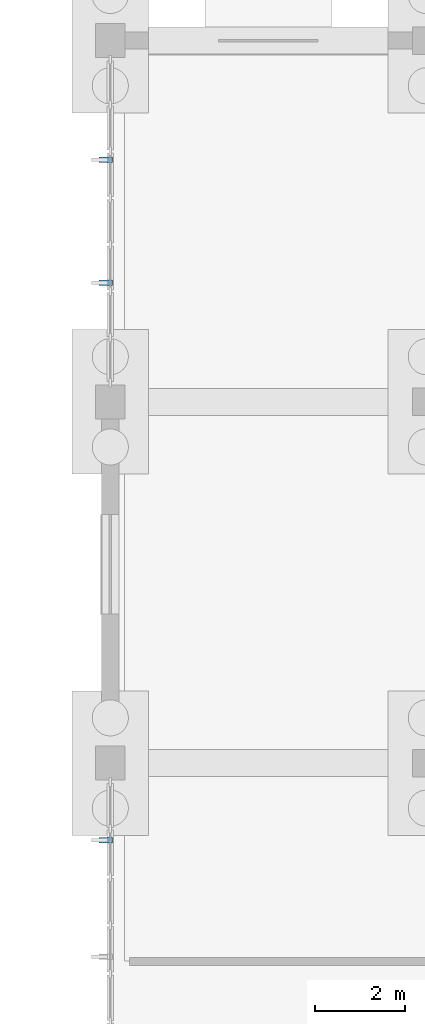
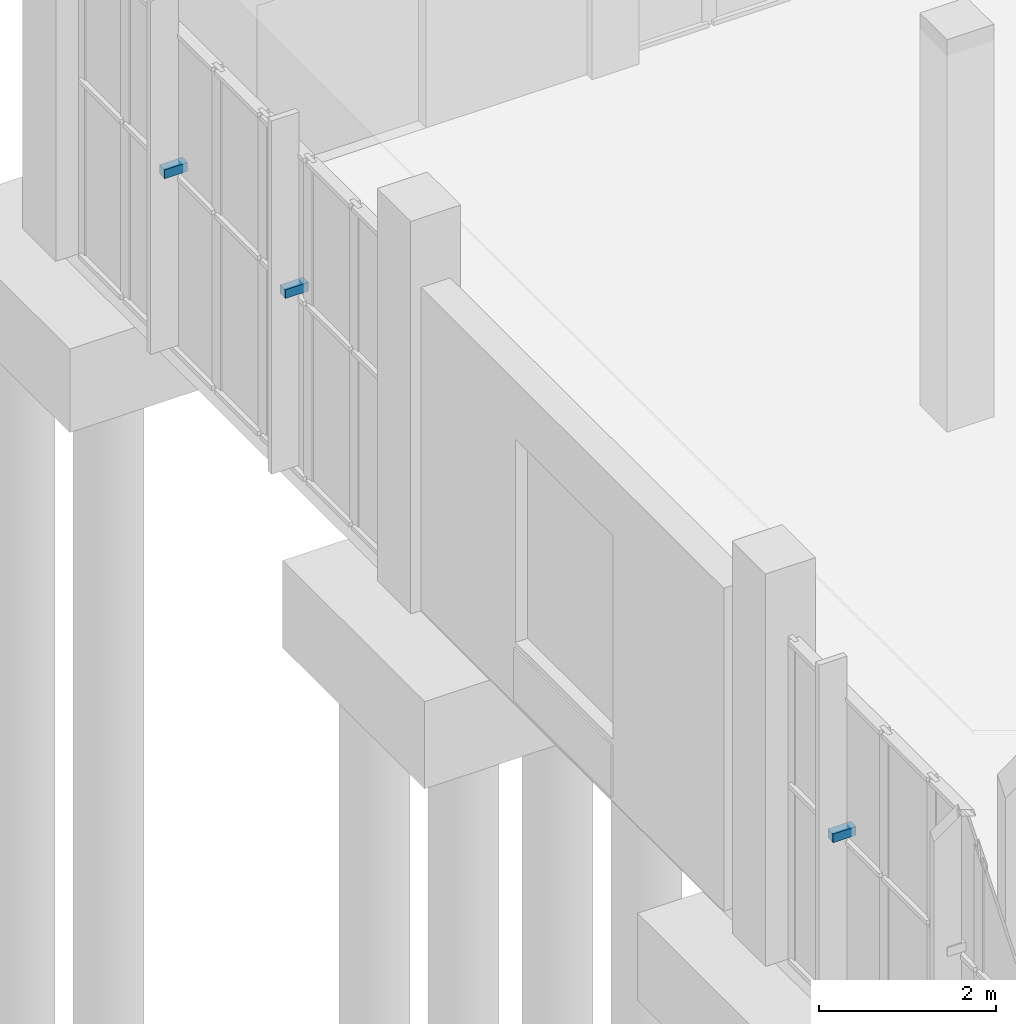
# One storey, part 58 of 69: 3 discrete accessories.
"""IFC4 building model written with IfcOpenShell, lengths in metres."""

from ifc_helpers import new_model, si_unit, direction, frame, origin, origin_2d, place, context, subcontext, project, spatial, rectangle, extrude, material, type_object, element, save


model = new_model("IFC4")

# Units and contexts
model_context = context("Model", 3, precision=1e-05, world=origin(), true_north=direction((0.0, 1.0)))
body_context = subcontext(model_context, "Body", "Model", "MODEL_VIEW")
ifc_project = project(units=[si_unit("LENGTHUNIT", "METRE"), si_unit("AREAUNIT", "SQUARE_METRE"), si_unit("VOLUMEUNIT", "CUBIC_METRE"), si_unit("PLANEANGLEUNIT", "RADIAN"), si_unit("MASSUNIT", "GRAM", prefix="KILO")], contexts=[model_context])

# Site, building, storey
site_placement = place(None, origin())
site = spatial("IfcSite", under=ifc_project, at=site_placement, CompositionType="ELEMENT")
building_placement = place(site_placement, origin())
building = spatial("IfcBuilding", under=site, at=building_placement, Name="Solvane Community Centre", CompositionType="ELEMENT")
storey_placement = place(building_placement, origin())
storey = spatial("IfcBuildingStorey", under=building, at=storey_placement, Name="L00", CompositionType="ELEMENT", Elevation=0.0)

# Discrete accessories
ifc_material = material(Name="Steel ASTM A572 Grade 50", Category="steel")
discrete_accessory_type = type_object("IfcDiscreteAccessoryType", Name="Fin Mounting Bracket 120x120", PredefinedType="BRACKET", material=ifc_material)
for number, where, z_axis, x_axis, name in (
    (1, (5.89990234375, 100.2919921875, 2.52001953125), (0.0, 0.0, 1.0), (0.0, 1.0, 0.0), "Fin Bracket 10"),
    (2, (5.89990234375, 112.639892578125, 2.52001953125), (0.0, 0.0, 1.0), (0.0, 1.0, 0.0), "Fin Bracket 11"),
    (3, (5.89990234375, 115.360107421875, 2.52001953125), (0.0, 0.0, 1.0), (0.0, 1.0, 0.0), "Fin Bracket 12"),
):
    element("IfcDiscreteAccessory", number, at=place(storey_placement, frame(where, z_axis=z_axis, x_axis=x_axis)), inside=storey, type_object=discrete_accessory_type, Name=name, PredefinedType="BRACKET", context=body_context, shape_type="SweptSolid", body=[
        extrude(rectangle(XDim=0.1201171875, YDim=0.300048828125, at=origin_2d()), origin(), (0.0, 0.0, 1.0), 0.1201171875),
    ])

save(model, "model.ifc")
